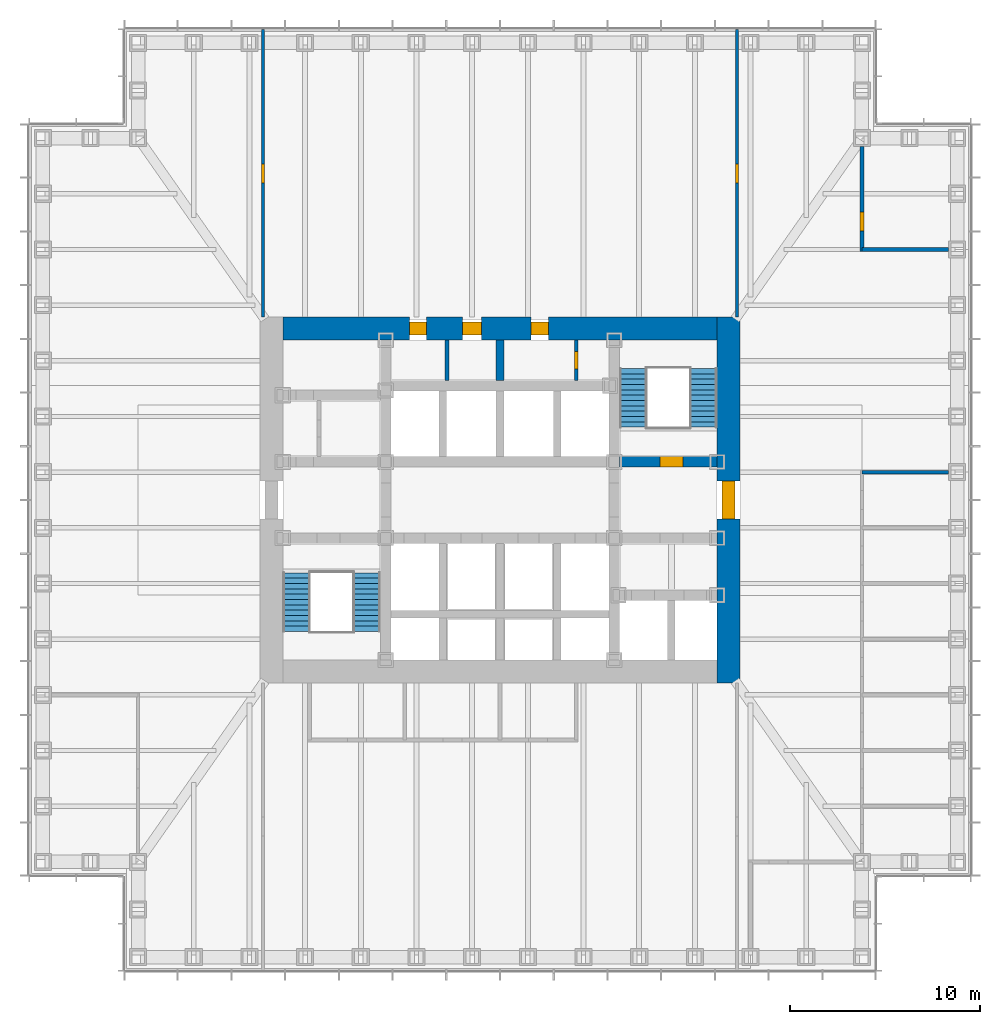
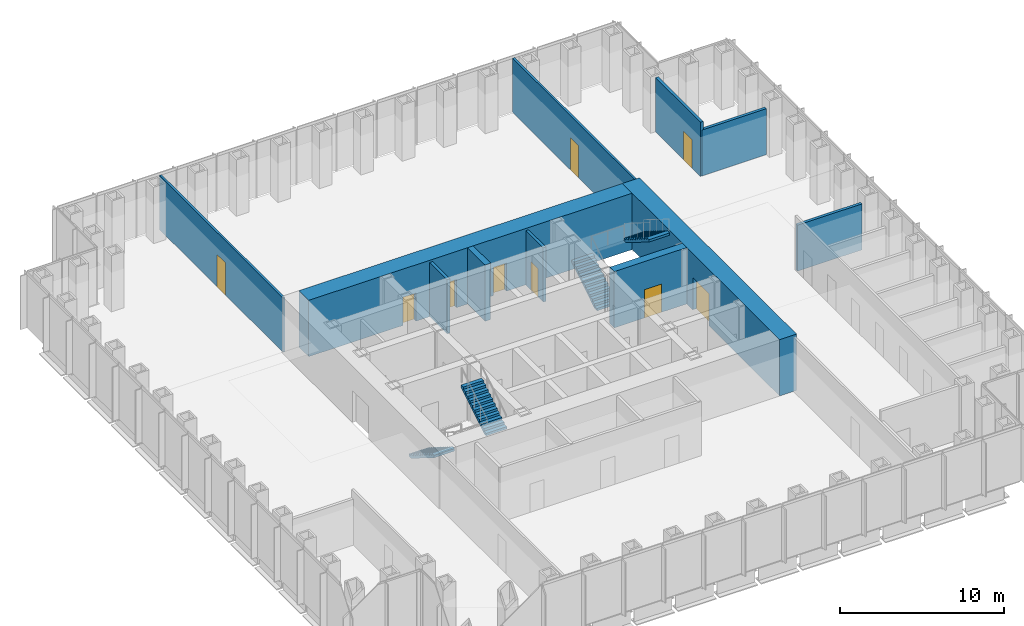
# One storey, part 10 of 16: 11 walls, 9 doors, 4 stair flights, 9 openings, 2 elements without a shape of their own.
"""IFC4 building model written with IfcOpenShell, lengths in metres."""

from ifc_helpers import new_model, si_unit, direction, frame, frame_2d, origin, place, context, subcontext, project, spatial, polyline, rectangle, outline, extrude, material, layer, layer_set, type_object, element, fill, aggregate, save


model = new_model("IFC4")

# Units and contexts
model_context = context("Model", 3, precision=1e-05, world=origin(), true_north=direction((0.0, 1.0)))
body_context = subcontext(model_context, "Body", "Model", "MODEL_VIEW")
ifc_project = project(units=[si_unit("LENGTHUNIT", "METRE"), si_unit("AREAUNIT", "SQUARE_METRE"), si_unit("VOLUMEUNIT", "CUBIC_METRE"), si_unit("PLANEANGLEUNIT", "RADIAN"), si_unit("MASSUNIT", "GRAM", prefix="KILO")], contexts=[model_context])

# Site, building, storey
site_placement = place(None, origin())
site = spatial("IfcSite", under=ifc_project, at=site_placement, CompositionType="ELEMENT")
building_placement = place(site_placement, origin())
building = spatial("IfcBuilding", under=site, at=building_placement, Name="Daluyong Arena Tower", CompositionType="ELEMENT")
storey_placement = place(building_placement, frame((0.0, 0.0, 76.89990234375)))
storey = spatial("IfcBuildingStorey", under=building, at=storey_placement, Name="L16", CompositionType="ELEMENT", Elevation=76.89990234375)

# Wall, opening, door
ifc_material_1 = material(Name="Concrete fc' 45 MPa", Category="concrete")
ifc_layer_1 = layer(ifc_material_1, 0.550048828125)
ifc_layer_set_1 = layer_set([ifc_layer_1], Name="Concrete fc' 45 MPa")
wall_type_1 = type_object("IfcWallType", Name="Core inner wall 550", PredefinedType="SHEAR", material=ifc_layer_set_1)
wall_1_placement = place(storey_placement, frame((62.27490234375, 82.0, 0.0), z_axis=(0.0, 0.0, 1.0), x_axis=(1.0, 0.0, 0.0)))
wall_1 = element("IfcWall", 1, at=wall_1_placement, inside=storey, type_object=wall_type_1, Name="core inner wall at L16", PredefinedType="SHEAR", context=body_context, shape_type="SweptSolid", body=[
    extrude(rectangle(XDim=5.125, YDim=0.550048828125, at=frame_2d((2.5625, 0.0))), origin(), (0.0, 0.0, 1.0), 4.2001953125),
])
opening_1_placement = place(wall_1_placement, frame((2.125, 0.0, 0.0)))
opening_1 = element("IfcOpeningElement", 2, at=opening_1_placement, cuts=wall_1, Name="Opening 16009", PredefinedType="OPENING", context=body_context, shape_type="SweptSolid", body=[
    extrude(rectangle(XDim=1.199951171875, YDim=2.10009765625, at=frame_2d((0.60009765625, 1.050048828125))), frame((0.0, 0.284912109375, 0.0), z_axis=(0.0, -1.0, 0.0), x_axis=(1.0, 0.0, 0.0)), (0.0, 0.0, 1.0), 0.570068359375),
])
ifc_material_2 = material(Name="Steel door, fire rated", Category="steel")
door_type_1 = type_object("IfcDoorType", Name="Stair door 1200", OperationType="SINGLE_SWING_LEFT", PredefinedType="DOOR", material=ifc_material_2)
door_1_placement = place(opening_1_placement, origin())
door_1 = element("IfcDoor", 3, at=door_1_placement, inside=storey, type_object=door_type_1, Name="stair B door 16009", OperationType="SINGLE_SWING_LEFT", OverallHeight=2.10009765625, OverallWidth=1.199951171875, PredefinedType="DOOR", context=body_context, shape_type="SweptSolid", body=[
    extrude(rectangle(XDim=1.199951171875, YDim=2.10009765625, at=frame_2d((0.60009765625, 1.050048828125))), frame((0.0, 0.27490234375, 0.0), z_axis=(0.0, -1.0, 0.0), x_axis=(1.0, 0.0, 0.0)), (0.0, 0.0, 1.0), 0.549560546875),
])
fill(opening_1, door_1)

ifc_material_3 = material(Name="Concrete fc' 60 MPa", Category="concrete")
ifc_layer_2 = layer(ifc_material_3, 1.199951171875)
ifc_layer_set_2 = layer_set([ifc_layer_2], Name="Concrete fc' 60 MPa")
wall_type_2 = type_object("IfcWallType", Name="Core wall 1200", PredefinedType="SHEAR", material=ifc_layer_set_2)
wall_2_placement = place(storey_placement, frame((68.0, 70.39990234375, 0.0), z_axis=(0.0, 0.0, 1.0), x_axis=(0.0, 1.0, 0.0)))
wall_2 = element("IfcWall", 4, at=wall_2_placement, inside=storey, type_object=wall_type_2, Name="core wall at L16", PredefinedType="SHEAR", context=body_context, shape_type="SweptSolid", body=[
    extrude(rectangle(XDim=19.2001953125, YDim=1.199951171875, at=frame_2d((9.60009765625, 0.0))), origin(), (0.0, 0.0, 1.0), 4.2001953125),
])
opening_2_placement = place(wall_2_placement, frame((8.60009765625, 0.0, 0.0)))
opening_2 = element("IfcOpeningElement", 5, at=opening_2_placement, cuts=wall_2, Name="Opening 16011", PredefinedType="OPENING", context=body_context, shape_type="SweptSolid", body=[
    extrude(rectangle(XDim=2.0, YDim=2.39990234375, at=frame_2d((1.0, 1.199951171875))), frame((0.0, 0.60986328125, 0.0), z_axis=(0.0, -1.0, 0.0), x_axis=(1.0, 0.0, 0.0)), (0.0, 0.0, 1.0), 1.219970703125),
])
ifc_material_4 = material(Name="Steel door, fire rated", Category="steel")
door_type_2 = type_object("IfcDoorType", Name="Core lobby double door 2000", OperationType="DOUBLE_DOOR_SINGLE_SWING", PredefinedType="DOOR", material=ifc_material_4)
door_2_placement = place(opening_2_placement, origin())
door_2 = element("IfcDoor", 6, at=door_2_placement, inside=storey, type_object=door_type_2, Name="core lobby door east 16011", OperationType="DOUBLE_DOOR_SINGLE_SWING", OverallHeight=2.39990234375, OverallWidth=2.0, PredefinedType="DOOR", context=body_context, shape_type="SweptSolid", body=[
    extrude(rectangle(XDim=2.0, YDim=2.39990234375, at=frame_2d((1.0, 1.199951171875))), frame((0.0, 0.35009765625, 0.0), z_axis=(0.0, -1.0, 0.0), x_axis=(1.0, 0.0, 0.0)), (0.0, 0.0, 1.0), 0.699951171875),
])
fill(opening_2, door_2)

# Wall, openings, doors
wall_3_placement = place(storey_placement, frame((44.60009765625, 89.0, 0.0), z_axis=(0.0, 0.0, 1.0), x_axis=(1.0, 0.0, 0.0)))
wall_3 = element("IfcWall", 7, at=wall_3_placement, inside=storey, type_object=wall_type_2, Name="core wall at L16", PredefinedType="SHEAR", context=body_context, shape_type="SweptSolid", body=[
    extrude(rectangle(XDim=22.7998046875, YDim=1.199951171875, at=frame_2d((11.39990234375, 0.0))), origin(), (0.0, 0.0, 1.0), 4.2001953125),
])
opening_3_placement = place(wall_3_placement, frame((9.425048828125, 0.0, 0.0)))
opening_3 = element("IfcOpeningElement", 8, at=opening_3_placement, cuts=wall_3, Name="Opening 16004", PredefinedType="OPENING", context=body_context, shape_type="SweptSolid", body=[
    extrude(rectangle(XDim=1.0, YDim=2.10009765625, at=frame_2d((0.5, 1.050048828125))), frame((0.0, 0.60986328125, 0.0), z_axis=(0.0, -1.0, 0.0), x_axis=(1.0, 0.0, 0.0)), (0.0, 0.0, 1.0), 1.219970703125),
])
opening_4_placement = place(wall_3_placement, frame((6.64990234375, 0.0, 0.0)))
opening_4 = element("IfcOpeningElement", 9, at=opening_4_placement, cuts=wall_3, Name="Opening 16005", PredefinedType="OPENING", context=body_context, shape_type="SweptSolid", body=[
    extrude(rectangle(XDim=0.89990234375, YDim=2.10009765625, at=frame_2d((0.449951171875, 1.050048828125))), frame((0.0, 0.60986328125, 0.0), z_axis=(0.0, -1.0, 0.0), x_axis=(1.0, 0.0, 0.0)), (0.0, 0.0, 1.0), 1.219970703125),
])
opening_5_placement = place(wall_3_placement, frame((13.03759765625, 0.0, 0.0)))
opening_5 = element("IfcOpeningElement", 10, at=opening_5_placement, cuts=wall_3, Name="Opening 16006", PredefinedType="OPENING", context=body_context, shape_type="SweptSolid", body=[
    extrude(rectangle(XDim=0.89990234375, YDim=2.10009765625, at=frame_2d((0.449951171875, 1.050048828125))), frame((0.0, 0.60986328125, 0.0), z_axis=(0.0, -1.0, 0.0), x_axis=(1.0, 0.0, 0.0)), (0.0, 0.0, 1.0), 1.219970703125),
])
ifc_material_5 = material(Name="Timber door", Category="wood")
door_type_3 = type_object("IfcDoorType", Name="Accessible toilet door 1000", OperationType="SINGLE_SWING_LEFT", PredefinedType="DOOR", material=ifc_material_5)
door_3_placement = place(opening_3_placement, origin())
door_3 = element("IfcDoor", 11, at=door_3_placement, inside=storey, type_object=door_type_3, Name="accessible toilet door 16004", OperationType="SINGLE_SWING_LEFT", OverallHeight=2.10009765625, OverallWidth=1.0, PredefinedType="DOOR", context=body_context, shape_type="SweptSolid", body=[
    extrude(rectangle(XDim=1.0, YDim=2.10009765625, at=frame_2d((0.5, 1.050048828125))), frame((0.0, 0.35009765625, 0.0), z_axis=(0.0, -1.0, 0.0), x_axis=(1.0, 0.0, 0.0)), (0.0, 0.0, 1.0), 0.699951171875),
])
fill(opening_3, door_3)
ifc_material_6 = material(Name="Steel door, fire rated", Category="steel")
door_type_4 = type_object("IfcDoorType", Name="Core room door 900", OperationType="SINGLE_SWING_LEFT", PredefinedType="DOOR", material=ifc_material_6)
door_4_placement = place(opening_5_placement, origin())
door_4 = element("IfcDoor", 12, at=door_4_placement, inside=storey, type_object=door_type_4, Name="staff pantry door 16006", OperationType="SINGLE_SWING_LEFT", OverallHeight=2.10009765625, OverallWidth=0.89990234375, PredefinedType="DOOR", context=body_context, shape_type="SweptSolid", body=[
    extrude(rectangle(XDim=0.89990234375, YDim=2.10009765625, at=frame_2d((0.449951171875, 1.050048828125))), frame((0.0, 0.35009765625, 0.0), z_axis=(0.0, -1.0, 0.0), x_axis=(1.0, 0.0, 0.0)), (0.0, 0.0, 1.0), 0.699951171875),
])
fill(opening_5, door_4)
ifc_material_7 = material(Name="Steel door, fire rated", Category="steel")
door_type_5 = type_object("IfcDoorType", Name="Core store door 900", OperationType="SINGLE_SWING_LEFT", PredefinedType="DOOR", material=ifc_material_7)
door_5_placement = place(opening_4_placement, origin())
door_5 = element("IfcDoor", 13, at=door_5_placement, inside=storey, type_object=door_type_5, Name="tenant store door 16005", OperationType="SINGLE_SWING_LEFT", OverallHeight=2.10009765625, OverallWidth=0.89990234375, PredefinedType="DOOR", context=body_context, shape_type="SweptSolid", body=[
    extrude(rectangle(XDim=0.89990234375, YDim=2.10009765625, at=frame_2d((0.449951171875, 1.050048828125))), frame((0.0, 0.35009765625, 0.0), z_axis=(0.0, -1.0, 0.0), x_axis=(1.0, 0.0, 0.0)), (0.0, 0.0, 1.0), 0.699951171875),
])
fill(opening_4, door_5)

# Wall
ifc_material_8 = material(Name="Concrete block partition, fire rated", Category="concrete")
ifc_layer_3 = layer(ifc_material_8, 0.199951171875)
ifc_layer_set_3 = layer_set([ifc_layer_3], Name="Concrete block partition, fire rated")
wall_type_3 = type_object("IfcWallType", Name="Fire-rated partition 200", PredefinedType="PARTITIONING", material=ifc_layer_set_3)
wall_4_placement = place(storey_placement, frame((53.22509765625, 86.27490234375, 0.0), z_axis=(0.0, 0.0, 1.0), x_axis=(0.0, 1.0, 0.0)))
element("IfcWall", 14, at=wall_4_placement, inside=storey, type_object=wall_type_3, Name="core room partition at L16", PredefinedType="PARTITIONING", context=body_context, shape_type="SweptSolid", body=[
    extrude(rectangle(XDim=2.125, YDim=0.199951171875, at=frame_2d((1.0625, 0.0))), origin(), (0.0, 0.0, 1.0), 4.0400390625),
])

# Wall, opening, door
wall_5_placement = place(storey_placement, frame((60.0, 86.27490234375, 0.0), z_axis=(0.0, 0.0, 1.0), x_axis=(0.0, 1.0, 0.0)))
wall_5 = element("IfcWall", 15, at=wall_5_placement, inside=storey, type_object=wall_type_3, Name="electrical riser enclosure at L16", PredefinedType="PARTITIONING", context=body_context, shape_type="SweptSolid", body=[
    extrude(rectangle(XDim=2.125, YDim=0.199951171875, at=frame_2d((1.0625, 0.0))), origin(), (0.0, 0.0, 1.0), 4.0400390625),
])
opening_6_placement = place(wall_5_placement, frame((0.612548828125, 0.0, 0.0)))
opening_6 = element("IfcOpeningElement", 16, at=opening_6_placement, cuts=wall_5, Name="Opening 16007", PredefinedType="OPENING", context=body_context, shape_type="SweptSolid", body=[
    extrude(rectangle(XDim=0.89990234375, YDim=2.10009765625, at=frame_2d((0.449951171875, 1.050048828125))), frame((0.0, 0.10986328125, 0.0), z_axis=(0.0, -1.0, 0.0), x_axis=(1.0, 0.0, 0.0)), (0.0, 0.0, 1.0), 0.219970703125),
])
ifc_material_9 = material(Name="Steel door, fire rated", Category="steel")
door_type_6 = type_object("IfcDoorType", Name="Riser door 900", OperationType="SINGLE_SWING_LEFT", PredefinedType="DOOR", material=ifc_material_9)
door_6_placement = place(opening_6_placement, origin())
door_6 = element("IfcDoor", 17, at=door_6_placement, inside=storey, type_object=door_type_6, Name="riser door 16007", OperationType="SINGLE_SWING_LEFT", OverallHeight=2.10009765625, OverallWidth=0.89990234375, PredefinedType="DOOR", context=body_context, shape_type="SweptSolid", body=[
    extrude(rectangle(XDim=0.89990234375, YDim=2.10009765625, at=frame_2d((0.449951171875, 1.050048828125))), frame((0.0, 0.099609375, 0.0), z_axis=(0.0, -1.0, 0.0), x_axis=(1.0, 0.0, 0.0)), (0.0, 0.0, 1.0), 0.199462890625),
])
fill(opening_6, door_6)

ifc_material_10 = material(Name="Glazed aluminium partition", Category="aluminium")
ifc_layer_4 = layer(ifc_material_10, 0.14990234375)
ifc_layer_set_4 = layer_set([ifc_layer_4], Name="Glazed aluminium partition")
wall_type_4 = type_object("IfcWallType", Name="Glazed partition 150", PredefinedType="PARTITIONING", material=ifc_layer_set_4)
wall_6_placement = place(storey_placement, frame((43.550048828125, 89.60009765625, 0.0), z_axis=(0.0, 0.0, 1.0), x_axis=(0.0, 1.0, 0.0)))
wall_6 = element("IfcWall", 18, at=wall_6_placement, inside=storey, type_object=wall_type_4, Name="glazed partition at L16", PredefinedType="PARTITIONING", context=body_context, shape_type="SweptSolid", body=[
    extrude(rectangle(XDim=15.08984375, YDim=0.14990234375, at=frame_2d((7.544921875, 0.0))), origin(), (0.0, 0.0, 1.0), 4.0400390625),
])
opening_7_placement = place(wall_6_placement, frame((7.044921875, 0.0, 0.0)))
opening_7 = element("IfcOpeningElement", 19, at=opening_7_placement, cuts=wall_6, Name="Opening 16036", PredefinedType="OPENING", context=body_context, shape_type="SweptSolid", body=[
    extrude(rectangle(XDim=1.0, YDim=2.39990234375, at=frame_2d((0.5, 1.199951171875))), frame((0.0, 0.0849609375, 0.0), z_axis=(0.0, -1.0, 0.0), x_axis=(1.0, 0.0, 0.0)), (0.0, 0.0, 1.0), 0.169921875),
])
ifc_material_11 = material(Name="Glazed aluminium door", Category="aluminium")
door_type_7 = type_object("IfcDoorType", Name="Meeting room glazed door 1000", OperationType="SINGLE_SWING_RIGHT", PredefinedType="DOOR", material=ifc_material_11)
door_7_placement = place(opening_7_placement, origin())
door_7 = element("IfcDoor", 20, at=door_7_placement, inside=storey, type_object=door_type_7, Name="team area screen door 16036", OperationType="SINGLE_SWING_RIGHT", OverallHeight=2.39990234375, OverallWidth=1.0, PredefinedType="DOOR", context=body_context, shape_type="SweptSolid", body=[
    extrude(rectangle(XDim=1.0, YDim=2.39990234375, at=frame_2d((0.5, 1.199951171875))), frame((0.0, 0.07470703125, 0.0), z_axis=(0.0, -1.0, 0.0), x_axis=(1.0, 0.0, 0.0)), (0.0, 0.0, 1.0), 0.1494140625),
])
fill(opening_7, door_7)

wall_7_placement = place(storey_placement, frame((68.449951171875, 89.60009765625, 0.0), z_axis=(0.0, 0.0, 1.0), x_axis=(0.0, 1.0, 0.0)))
wall_7 = element("IfcWall", 21, at=wall_7_placement, inside=storey, type_object=wall_type_4, Name="glazed partition at L16", PredefinedType="PARTITIONING", context=body_context, shape_type="SweptSolid", body=[
    extrude(rectangle(XDim=15.08984375, YDim=0.14990234375, at=frame_2d((7.544921875, 0.0))), origin(), (0.0, 0.0, 1.0), 4.0400390625),
])
opening_8_placement = place(wall_7_placement, frame((7.044921875, 0.0, 0.0)))
opening_8 = element("IfcOpeningElement", 22, at=opening_8_placement, cuts=wall_7, Name="Opening 16037", PredefinedType="OPENING", context=body_context, shape_type="SweptSolid", body=[
    extrude(rectangle(XDim=1.0, YDim=2.39990234375, at=frame_2d((0.5, 1.199951171875))), frame((0.0, 0.0849609375, 0.0), z_axis=(0.0, -1.0, 0.0), x_axis=(1.0, 0.0, 0.0)), (0.0, 0.0, 1.0), 0.169921875),
])
door_8_placement = place(opening_8_placement, origin())
door_8 = element("IfcDoor", 23, at=door_8_placement, inside=storey, type_object=door_type_7, Name="team area screen door 16037", OperationType="SINGLE_SWING_RIGHT", OverallHeight=2.39990234375, OverallWidth=1.0, PredefinedType="DOOR", context=body_context, shape_type="SweptSolid", body=[
    extrude(rectangle(XDim=1.0, YDim=2.39990234375, at=frame_2d((0.5, 1.199951171875))), frame((0.0, 0.07470703125, 0.0), z_axis=(0.0, -1.0, 0.0), x_axis=(1.0, 0.0, 0.0)), (0.0, 0.0, 1.0), 0.1494140625),
])
fill(opening_8, door_8)

# Walls
ifc_material_12 = material(Name="Concrete fc' 45 MPa", Category="concrete")
ifc_layer_5 = layer(ifc_material_12, 0.39990234375)
ifc_layer_set_5 = layer_set([ifc_layer_5], Name="Concrete fc' 45 MPa")
wall_type_5 = type_object("IfcWallType", Name="Lift shaft wall 400", PredefinedType="SHEAR", material=ifc_layer_set_5)
wall_8_placement = place(storey_placement, frame((56.0, 86.27490234375, 0.0), z_axis=(0.0, 0.0, 1.0), x_axis=(0.0, 1.0, 0.0)))
element("IfcWall", 24, at=wall_8_placement, inside=storey, type_object=wall_type_5, Name="lift shaft wall at L16", PredefinedType="SHEAR", context=body_context, shape_type="SweptSolid", body=[
    extrude(rectangle(XDim=2.125, YDim=0.39990234375, at=frame_2d((1.0625, 0.0))), origin(), (0.0, 0.0, 1.0), 4.2001953125),
])
ifc_material_13 = material(Name="Concrete block partition", Category="concrete")
ifc_layer_6 = layer(ifc_material_13, 0.199951171875)
ifc_layer_set_6 = layer_set([ifc_layer_6], Name="Concrete block partition")
wall_type_6 = type_object("IfcWallType", Name="Partition 200", PredefinedType="PARTITIONING", material=ifc_layer_set_6)
for number, where, z_axis, x_axis, name in (
    (25, (75.0, 81.46142578125, 0.0), (0.0, 0.0, 1.0), (1.0, 0.0, 0.0), "partition at L16"),
    (26, (75.0, 93.15380859375, 0.0), (0.0, 0.0, 1.0), (1.0, 0.0, 0.0), "partition at L16"),
):
    element("IfcWall", number, at=place(storey_placement, frame(where, z_axis=z_axis, x_axis=x_axis)), inside=storey, type_object=wall_type_6, Name=name, PredefinedType="PARTITIONING", context=body_context, shape_type="SweptSolid", body=[
        extrude(rectangle(XDim=4.550048828125, YDim=0.199951171875, at=frame_2d((2.27490234375, 0.0))), origin(), (0.0, 0.0, 1.0), 3.427978515625),
    ])

# Wall, opening, door
wall_9_placement = place(storey_placement, frame((75.0, 93.053955078125, 0.0), z_axis=(0.0, 0.0, 1.0), x_axis=(0.0, 1.0, 0.0)))
wall_9 = element("IfcWall", 27, at=wall_9_placement, inside=storey, type_object=wall_type_6, Name="partition at L16", PredefinedType="PARTITIONING", context=body_context, shape_type="SweptSolid", body=[
    extrude(rectangle(XDim=5.49609375, YDim=0.199951171875, at=frame_2d((2.748046875, 0.0))), origin(), (0.0, 0.0, 1.0), 4.0400390625),
])
opening_9_placement = place(wall_9_placement, frame((1.0615234375, 0.0, 0.0)))
opening_9 = element("IfcOpeningElement", 28, at=opening_9_placement, cuts=wall_9, Name="Opening 16029", PredefinedType="OPENING", context=body_context, shape_type="SweptSolid", body=[
    extrude(rectangle(XDim=1.0, YDim=2.10009765625, at=frame_2d((0.5, 1.050048828125))), frame((0.0, 0.10986328125, 0.0), z_axis=(0.0, -1.0, 0.0), x_axis=(1.0, 0.0, 0.0)), (0.0, 0.0, 1.0), 0.219970703125),
])
ifc_material_14 = material(Name="Timber door", Category="wood")
door_type_8 = type_object("IfcDoorType", Name="Room door 1000", OperationType="SINGLE_SWING_LEFT", PredefinedType="DOOR", material=ifc_material_14)
door_9_placement = place(opening_9_placement, origin())
door_9 = element("IfcDoor", 29, at=door_9_placement, inside=storey, type_object=door_type_8, Name="wellness room door 16029", OperationType="SINGLE_SWING_LEFT", OverallHeight=2.10009765625, OverallWidth=1.0, PredefinedType="DOOR", context=body_context, shape_type="SweptSolid", body=[
    extrude(rectangle(XDim=1.0, YDim=2.10009765625, at=frame_2d((0.5, 1.050048828125))), frame((0.0, 0.099609375, 0.0), z_axis=(0.0, -1.0, 0.0), x_axis=(1.0, 0.0, 0.0)), (0.0, 0.0, 1.0), 0.199462890625),
])
fill(opening_9, door_9)

# Stair, stair flights
ifc_material_15 = material(Name="Concrete fc' 35 MPa", Category="concrete")
stair_type = type_object("IfcStairType", Name="Core exit stair", PredefinedType="HALF_TURN_STAIR", material=ifc_material_15)
stair_1_placement = place(storey_placement, origin())
stair_1 = element("IfcStair", 30, at=stair_1_placement, inside=storey, type_object=stair_type, Name="exit stair A L16", PredefinedType="HALF_TURN_STAIR")
ifc_material_16 = material(Name="Concrete fc' 35 MPa", Category="concrete")
stair_flight_type = type_object("IfcStairFlightType", Name="Core stair flight", PredefinedType="STRAIGHT", material=ifc_material_16)
stair_flight_1_placement = place(storey_placement, frame((45.324951171875, 76.175048828125, 0.0), z_axis=(0.0, 0.0, 1.0), x_axis=(0.0, -1.0, 0.0)))
stair_flight_1 = element("IfcStairFlight", 31, at=stair_flight_1_placement, type_object=stair_flight_type, Name="STA flight 1", NumberOfRisers=12, NumberOfTreads=11, PredefinedType="STRAIGHT", RiserHeight=0.175, TreadLength=0.28, context=body_context, shape_type="SweptSolid", body=[
    extrude(outline(polyline([(0.0, 0.0), (0.0, 0.175048828125), (0.280029296875, 0.175048828125), (0.280029296875, 0.35009765625), (0.56005859375, 0.35009765625), (0.56005859375, 0.52490234375), (0.840087890625, 0.52490234375), (0.840087890625, 0.699951171875), (1.1201171875, 0.699951171875), (1.1201171875, 0.875), (1.39990234375, 0.875), (1.39990234375, 1.050048828125), (1.679931640625, 1.050048828125), (1.679931640625, 1.22509765625), (1.9599609375, 1.22509765625), (1.9599609375, 1.39990234375), (2.239990234375, 1.39990234375), (2.239990234375, 1.574951171875), (2.52001953125, 1.574951171875), (2.52001953125, 1.75), (2.800048828125, 1.75), (2.800048828125, 1.925048828125), (3.080078125, 1.925048828125), (3.080078125, 2.10009765625), (3.080078125, 1.748291015625), (0.28271484375, 0.0), (0.0, 0.0)])), frame((0.0, 0.72509765625, 0.0), z_axis=(0.0, -1.0, 0.0), x_axis=(1.0, 0.0, 0.0)), (0.0, 0.0, 1.0), 1.449951171875),
])
stair_flight_2_placement = place(storey_placement, frame((49.0, 73.094970703125, 2.10009765625), z_axis=(0.0, 0.0, 1.0), x_axis=(0.0, 1.0, 0.0)))
stair_flight_2 = element("IfcStairFlight", 32, at=stair_flight_2_placement, type_object=stair_flight_type, Name="STA flight 2", NumberOfRisers=12, NumberOfTreads=11, PredefinedType="STRAIGHT", RiserHeight=0.175, TreadLength=0.28, context=body_context, shape_type="SweptSolid", body=[
    extrude(outline(polyline([(0.0, 0.0), (0.0, 0.175048828125), (0.280029296875, 0.175048828125), (0.280029296875, 0.35009765625), (0.56005859375, 0.35009765625), (0.56005859375, 0.52490234375), (0.840087890625, 0.52490234375), (0.840087890625, 0.699951171875), (1.1201171875, 0.699951171875), (1.1201171875, 0.875), (1.39990234375, 0.875), (1.39990234375, 1.050048828125), (1.679931640625, 1.050048828125), (1.679931640625, 1.22509765625), (1.9599609375, 1.22509765625), (1.9599609375, 1.39990234375), (2.239990234375, 1.39990234375), (2.239990234375, 1.574951171875), (2.52001953125, 1.574951171875), (2.52001953125, 1.75), (2.800048828125, 1.75), (2.800048828125, 1.925048828125), (3.080078125, 1.925048828125), (3.080078125, 2.10009765625), (3.080078125, 1.748291015625), (0.28271484375, 0.0), (0.0, 0.0)])), frame((0.0, 0.72509765625, 0.0), z_axis=(0.0, -1.0, 0.0), x_axis=(1.0, 0.0, 0.0)), (0.0, 0.0, 1.0), 1.449951171875),
])
aggregate(stair_1, [stair_flight_1, stair_flight_2])

stair_2_placement = place(storey_placement, origin())
stair_2 = element("IfcStair", 33, at=stair_2_placement, inside=storey, type_object=stair_type, Name="exit stair B L16", PredefinedType="HALF_TURN_STAIR")
stair_flight_3_placement = place(storey_placement, frame((63.0, 83.824951171875, 0.0), z_axis=(0.0, 0.0, 1.0), x_axis=(0.0, 1.0, 0.0)))
stair_flight_3 = element("IfcStairFlight", 34, at=stair_flight_3_placement, type_object=stair_flight_type, Name="STB flight 1", NumberOfRisers=12, NumberOfTreads=11, PredefinedType="STRAIGHT", RiserHeight=0.175, TreadLength=0.28, context=body_context, shape_type="SweptSolid", body=[
    extrude(outline(polyline([(0.0, 0.0), (0.0, 0.175048828125), (0.280029296875, 0.175048828125), (0.280029296875, 0.35009765625), (0.56005859375, 0.35009765625), (0.56005859375, 0.52490234375), (0.840087890625, 0.52490234375), (0.840087890625, 0.699951171875), (1.1201171875, 0.699951171875), (1.1201171875, 0.875), (1.39990234375, 0.875), (1.39990234375, 1.050048828125), (1.679931640625, 1.050048828125), (1.679931640625, 1.22509765625), (1.9599609375, 1.22509765625), (1.9599609375, 1.39990234375), (2.239990234375, 1.39990234375), (2.239990234375, 1.574951171875), (2.52001953125, 1.574951171875), (2.52001953125, 1.75), (2.800048828125, 1.75), (2.800048828125, 1.925048828125), (3.080078125, 1.925048828125), (3.080078125, 2.10009765625), (3.080078125, 1.748291015625), (0.28271484375, 0.0), (0.0, 0.0)])), frame((0.0, 0.72509765625, 0.0), z_axis=(0.0, -1.0, 0.0), x_axis=(1.0, 0.0, 0.0)), (0.0, 0.0, 1.0), 1.449951171875),
])
stair_flight_4_placement = place(storey_placement, frame((66.675048828125, 86.905029296875, 2.10009765625), z_axis=(0.0, 0.0, 1.0), x_axis=(0.0, -1.0, 0.0)))
stair_flight_4 = element("IfcStairFlight", 35, at=stair_flight_4_placement, type_object=stair_flight_type, Name="STB flight 2", NumberOfRisers=12, NumberOfTreads=11, PredefinedType="STRAIGHT", RiserHeight=0.175, TreadLength=0.28, context=body_context, shape_type="SweptSolid", body=[
    extrude(outline(polyline([(0.0, 0.0), (0.0, 0.175048828125), (0.280029296875, 0.175048828125), (0.280029296875, 0.35009765625), (0.56005859375, 0.35009765625), (0.56005859375, 0.52490234375), (0.840087890625, 0.52490234375), (0.840087890625, 0.699951171875), (1.1201171875, 0.699951171875), (1.1201171875, 0.875), (1.39990234375, 0.875), (1.39990234375, 1.050048828125), (1.679931640625, 1.050048828125), (1.679931640625, 1.22509765625), (1.9599609375, 1.22509765625), (1.9599609375, 1.39990234375), (2.239990234375, 1.39990234375), (2.239990234375, 1.574951171875), (2.52001953125, 1.574951171875), (2.52001953125, 1.75), (2.800048828125, 1.75), (2.800048828125, 1.925048828125), (3.080078125, 1.925048828125), (3.080078125, 2.10009765625), (3.080078125, 1.748291015625), (0.28271484375, 0.0), (0.0, 0.0)])), frame((0.0, 0.72509765625, 0.0), z_axis=(0.0, -1.0, 0.0), x_axis=(1.0, 0.0, 0.0)), (0.0, 0.0, 1.0), 1.449951171875),
])
aggregate(stair_2, [stair_flight_3, stair_flight_4])

save(model, "model.ifc")
